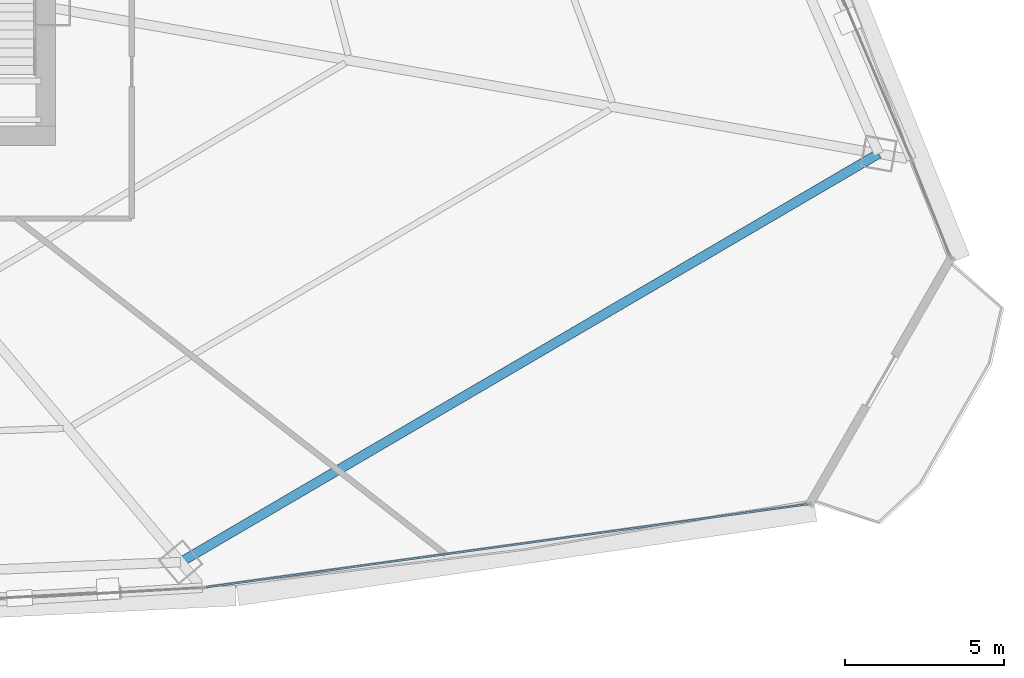
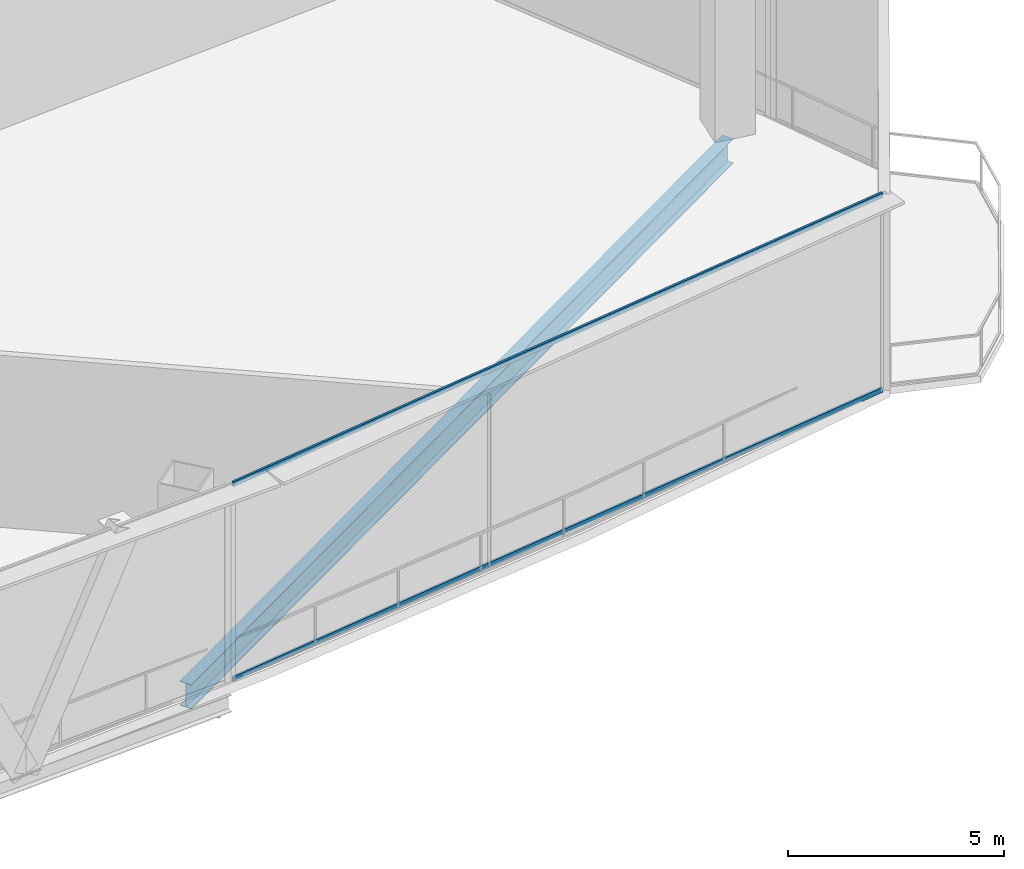
# One storey, part 20 of 36: 2 members, 1 beam, 1 element without a shape of its own.
"""IFC4 building model written with IfcOpenShell, lengths in metres."""

from ifc_helpers import new_model, si_unit, direction, frame, origin, origin_2d, place, context, subcontext, project, spatial, hollow_rectangle, i_section, extrude, source, transform, mapped, material, layer, layer_set, material_profile, profile_set, type_object, element, aggregate, save


model = new_model("IFC4")

# Units and contexts
model_context = context("Model", 3, precision=1e-05, world=origin(), true_north=direction((0.0, 1.0)))
body_context = subcontext(model_context, "Body", "Model", "MODEL_VIEW")
ifc_project = project(units=[si_unit("LENGTHUNIT", "METRE"), si_unit("AREAUNIT", "SQUARE_METRE"), si_unit("VOLUMEUNIT", "CUBIC_METRE"), si_unit("PLANEANGLEUNIT", "RADIAN"), si_unit("MASSUNIT", "GRAM", prefix="KILO"), si_unit("THERMODYNAMICTEMPERATUREUNIT", "KELVIN"), si_unit("POWERUNIT", "WATT")], contexts=[model_context])

# Site, building, storey
site_placement = place(None, origin())
site = spatial("IfcSite", under=ifc_project, at=site_placement, CompositionType="ELEMENT")
building_placement = place(site_placement, origin())
building = spatial("IfcBuilding", under=site, at=building_placement, Name="Yunzhuo Pagoda Commons", CompositionType="ELEMENT")
storey_placement = place(building_placement, frame((0.0, 0.0, 119.179931640625)))
storey = spatial("IfcBuildingStorey", under=building, at=storey_placement, Name="L30", CompositionType="ELEMENT", Elevation=119.179931640625)

# Beam
ifc_material_1 = material(Name="Structural steel Q355B", Category="steel")
ifc_material_profile_1 = material_profile(ifc_material_1, i_section(OverallWidth=0.300048828125, OverallDepth=0.699951171875, WebThickness=0.012939453125, FlangeThickness=0.02392578125, at=origin_2d()), Name="Structural steel Q355B")
ifc_profile_set_1 = profile_set([ifc_material_profile_1], Name="Structural steel Q355B")
beam_type = type_object("IfcBeamType", Name="B-RG1 Beam HN 700x300x13x24", PredefinedType="BEAM", material=ifc_profile_set_1)
shared_shape_1 = source(origin(), body_context, "Body", "SweptSolid", [
    extrude(i_section(OverallWidth=0.300048828125, OverallDepth=0.699951171875, WebThickness=0.012939453125, FlangeThickness=0.02392578125, at=origin_2d()), origin(), (0.0, 0.0, 1.0), 25.3935546875),
])
beam_placement = place(storey_placement, frame((64.43603515625, 14.1123046875, -0.6298828125), z_axis=(0.863085207128, 0.505058338449, 0.0), x_axis=(-0.505058338449, 0.863085207128, 0.0)))
element("IfcBeam", 1, at=beam_placement, inside=storey, type_object=beam_type, Name="L30 column-ring beam 4", PredefinedType="BEAM", context=body_context, shape_type="MappedRepresentation", body=[
    mapped(shared_shape_1, transform((0.0, 0.0, 0.0), scale=1.0)),
])

# Curtain wall, members
ifc_material_2 = material(Name="Anodized aluminium 6063-T6", Category="aluminium")
ifc_layer = layer(ifc_material_2, 0.1650390625)
ifc_layer_set = layer_set([ifc_layer], Name="Anodized aluminium 6063-T6")
curtain_wall_type = type_object("IfcCurtainWallType", Name="CW-LOW Low-Zone Ribbon Curtain Wall", PredefinedType="NOTDEFINED", material=ifc_layer_set)
curtain_wall_placement = place(storey_placement, origin())
curtain_wall = element("IfcCurtainWall", 2, at=curtain_wall_placement, inside=storey, type_object=curtain_wall_type, Name="L30 curtain wall CW-L30-F1B5", PredefinedType="NOTDEFINED")
ifc_material_profile_2 = material_profile(ifc_material_2, hollow_rectangle(XDim=0.06005859375, YDim=0.139892578125, WallThickness=0.00341796875, at=origin_2d()), Name="Anodized aluminium 6063-T6")
ifc_profile_set_2 = profile_set([ifc_material_profile_2], Name="Anodized aluminium 6063-T6")
member_type = type_object("IfcMemberType", Name="CW-LOW-T Transom RHS 140x60x3.5", PredefinedType="USERDEFINED", material=ifc_profile_set_2)
shared_shape_2 = source(origin(), body_context, "Body", "SweptSolid", [
    extrude(hollow_rectangle(XDim=0.06005859375, YDim=0.139892578125, WallThickness=0.00341796875, at=origin_2d()), origin(), (0.0, 0.0, 1.0), 19.0537109375),
])
member_1_placement = place(storey_placement, frame((65.249755859375, 13.326904296875, 0.030029296875), z_axis=(0.990617181694, 0.136666013814, 0.0), x_axis=(-0.136666013814, 0.990617181694, 0.0)))
member_1 = element("IfcMember", 3, at=member_1_placement, type_object=member_type, Name="CW transom 1.1", ObjectType="TRANSOM", PredefinedType="USERDEFINED", context=body_context, shape_type="MappedRepresentation", body=[
    mapped(shared_shape_2, transform((0.0, 0.0, 0.0), scale=1.0)),
])
member_2_placement = place(storey_placement, frame((65.249755859375, 13.326904296875, 5.5400390625), z_axis=(0.990617181694, 0.136666013814, 0.0), x_axis=(-0.136666013814, 0.990617181694, 0.0)))
member_2 = element("IfcMember", 4, at=member_2_placement, type_object=member_type, Name="CW transom 1.2", ObjectType="TRANSOM", PredefinedType="USERDEFINED", context=body_context, shape_type="MappedRepresentation", body=[
    mapped(shared_shape_2, transform((0.0, 0.0, 0.0), scale=1.0)),
])
aggregate(curtain_wall, [member_1, member_2])

save(model, "model.ifc")
